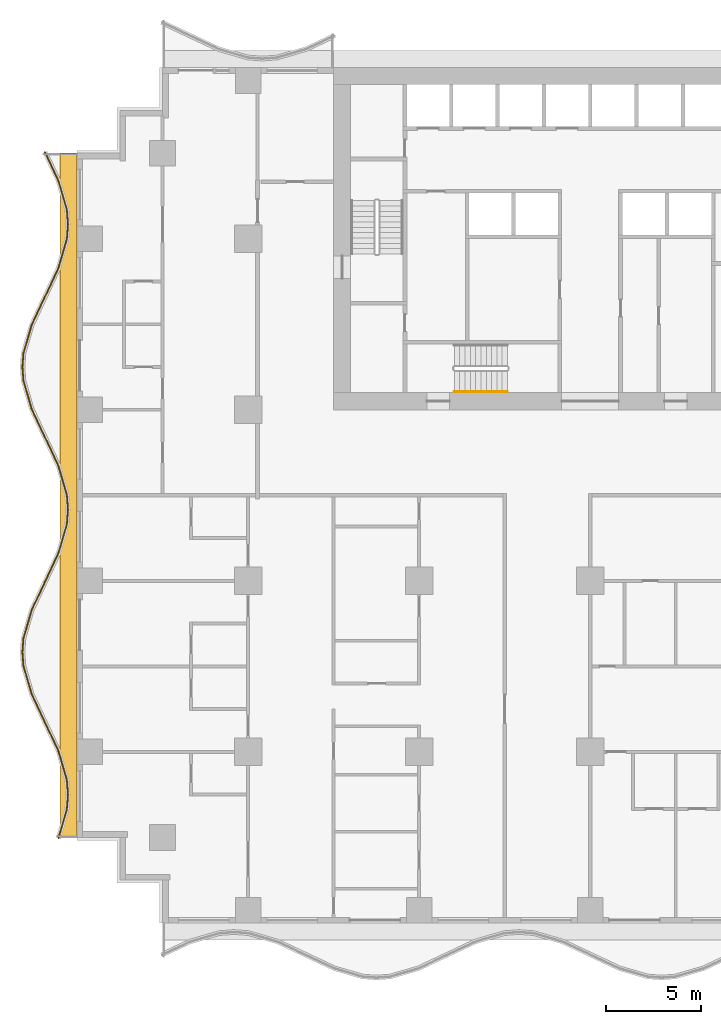
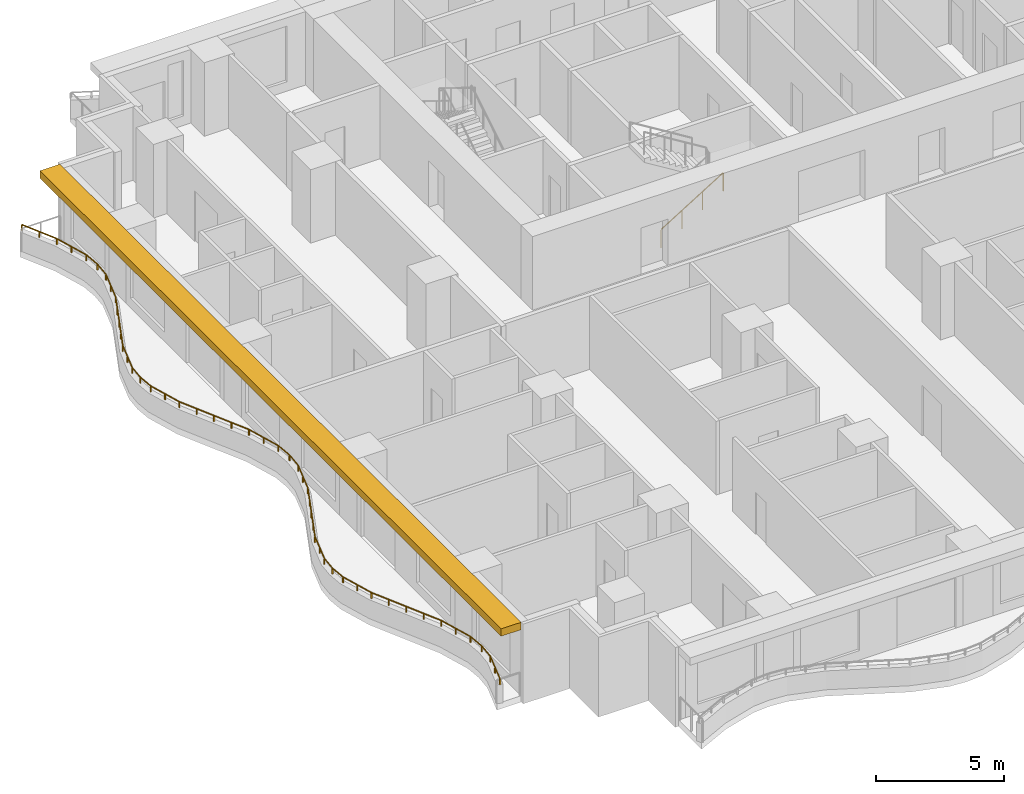
# One storey, part 9 of 14: 2 railings, 1 shading device.
"""IFC4 building model written with IfcOpenShell, lengths in metres."""

from ifc_helpers import new_model, si_unit, direction, frame, origin, origin_2d, place, context, subcontext, project, spatial, polyline, rectangle, circle, outline, extrude, material, layer, layer_set, type_object, element, save


model = new_model("IFC4")

# Units and contexts
model_context = context("Model", 3, precision=1e-05, world=origin(), true_north=direction((0.0, 1.0)))
body_context = subcontext(model_context, "Body", "Model", "MODEL_VIEW")
ifc_project = project(units=[si_unit("LENGTHUNIT", "METRE"), si_unit("AREAUNIT", "SQUARE_METRE"), si_unit("VOLUMEUNIT", "CUBIC_METRE"), si_unit("PLANEANGLEUNIT", "RADIAN"), si_unit("MASSUNIT", "GRAM", prefix="KILO")], contexts=[model_context])

# Site, building, storey
site_placement = place(None, origin())
site = spatial("IfcSite", under=ifc_project, at=site_placement, CompositionType="ELEMENT")
building_placement = place(site_placement, origin())
building = spatial("IfcBuilding", under=site, at=building_placement, Name="Orbiselva Terraces", CompositionType="ELEMENT")
storey_placement = place(building_placement, frame((0.0, 0.0, 60.6)))
storey = spatial("IfcBuildingStorey", under=building, at=storey_placement, Name="L15", CompositionType="ELEMENT", Elevation=60.6)

# Railings
ifc_material_1 = material(Name="Stainless steel", Category="steel")
railing_type_1 = type_object("IfcRailingType", Name="CORE-HANDRAIL-900", PredefinedType="HANDRAIL", material=ifc_material_1)
railing_1_placement = place(storey_placement, frame((-7.15, 5.45, 0.172727)))
element("IfcRailing", 1, at=railing_1_placement, inside=storey, type_object=railing_type_1, Name="L15 S3 stair handrail 1", PredefinedType="HANDRAIL", context=body_context, shape_type="SweptSolid", body=[
    extrude(circle(Radius=0.024, at=origin_2d()), frame((0.0, 0.0, 0.876), z_axis=(0.851088519012, 0.0, 0.52502222125), x_axis=(0.0, 1.0, 0.0)), (0.0, 0.0, 1.0), 3.289905),
    extrude(circle(Radius=0.021, at=origin_2d()), origin(), (0.0, 0.0, 1.0), 0.852),
    extrude(circle(Radius=0.021, at=origin_2d()), frame((0.933333, 0.0, 0.575758)), (0.0, 0.0, 1.0), 0.852),
    extrude(circle(Radius=0.021, at=origin_2d()), frame((1.866667, 0.0, 1.151515)), (0.0, 0.0, 1.0), 0.852),
    extrude(circle(Radius=0.021, at=origin_2d()), frame((2.8, 0.0, 1.727273)), (0.0, 0.0, 1.0), 0.852),
])
ifc_material_2 = material(Name="Bonded two-ply safety glass balustrade, stainless steel posts", Category="steel")
railing_type_2 = type_object("IfcRailingType", Name="ENV-BALUSTRADE-1200", PredefinedType="BALUSTRADE", material=ifc_material_2)
railing_2_placement = place(storey_placement, frame((-28.686882, 18.053191, 0.9)))
element("IfcRailing", 2, at=railing_2_placement, inside=storey, type_object=railing_type_2, Name="Balcony balustrade L15 W", PredefinedType="BALUSTRADE", context=body_context, shape_type="SweptSolid", body=[
    extrude(outline(polyline([(0.028868, 0.0), (0.014434, 0.025), (-0.014434, 0.025), (-0.028868, 0.0), (-0.014434, -0.025), (0.014434, -0.025), (0.028868, 0.0)])), frame((0.0, 0.0, 0.275), z_axis=(0.425530342069, -0.904944157382, 0.0), x_axis=(0.904944157382, 0.425530342069, 0.0)), (0.0, 0.0, 1.0), 1.667376),
    extrude(outline(polyline([(0.028868, 0.0), (0.014434, 0.025), (-0.014434, 0.025), (-0.028868, 0.0), (-0.014434, -0.025), (0.014434, -0.025), (0.028868, 0.0)])), frame((0.709519, -1.508882, 0.275), z_axis=(0.279070928786, -0.960270491427, 0.0), x_axis=(0.960270491427, 0.279070928786, 0.0)), (0.0, 0.0, 1.0), 1.584712),
    extrude(outline(polyline([(0.028868, 0.0), (0.014434, 0.025), (-0.014434, 0.025), (-0.028868, 0.0), (-0.014434, -0.025), (0.014434, -0.025), (0.028868, 0.0)])), frame((1.151766, -3.030634, 0.275), z_axis=(0.078071061106, -0.996947796737, 0.0), x_axis=(0.996947796737, 0.078071061106, 0.0)), (0.0, 0.0, 1.0), 0.774922),
    extrude(outline(polyline([(0.028868, 0.0), (0.014434, 0.025), (-0.014434, 0.025), (-0.028868, 0.0), (-0.014434, -0.025), (0.014434, -0.025), (0.028868, 0.0)])), frame((1.212265, -3.803191, 0.275), z_axis=(-0.078071061106, -0.996947796737, 0.0), x_axis=(0.996947796737, -0.078071061106, 0.0)), (0.0, 0.0, 1.0), 0.774922),
    extrude(outline(polyline([(0.028868, 0.0), (0.014434, 0.025), (-0.014434, 0.025), (-0.028868, 0.0), (-0.014434, -0.025), (0.014434, -0.025), (0.028868, 0.0)])), frame((1.151766, -4.575748, 0.275), z_axis=(-0.279070928786, -0.960270491427, 0.0), x_axis=(0.960270491427, -0.279070928786, 0.0)), (0.0, 0.0, 1.0), 1.584712),
    extrude(outline(polyline([(0.028868, 0.0), (0.014434, 0.025), (-0.014434, 0.025), (-0.028868, 0.0), (-0.014434, -0.025), (0.014434, -0.025), (0.028868, 0.0)])), frame((0.709519, -6.0975, 0.275), z_axis=(-0.425530342069, -0.904944157382, 0.0), x_axis=(0.904944157382, -0.425530342069, 0.0)), (0.0, 0.0, 1.0), 1.667376),
    extrude(outline(polyline([(0.028868, 0.0), (0.014434, 0.025), (-0.014434, 0.025), (-0.028868, 0.0), (-0.014434, -0.025), (0.014434, -0.025), (0.028868, 0.0)])), frame((0.0, -7.606382, 0.275), z_axis=(-0.425529912322, -0.904944359461, 0.0), x_axis=(0.904944359461, -0.425529912322, 0.0)), (0.0, 0.0, 1.0), 1.647746),
    extrude(outline(polyline([(0.028868, 0.0), (0.014434, 0.025), (-0.014434, 0.025), (-0.028868, 0.0), (-0.014434, -0.025), (0.014434, -0.025), (0.028868, 0.0)])), frame((-0.701165, -9.0975, 0.275), z_axis=(-0.279071528957, -0.960270317007, 0.0), x_axis=(0.960270317007, -0.279071528957, 0.0)), (0.0, 0.0, 1.0), 1.539408),
    extrude(outline(polyline([(0.028868, 0.0), (0.014434, 0.025), (-0.014434, 0.025), (-0.028868, 0.0), (-0.014434, -0.025), (0.014434, -0.025), (0.028868, 0.0)])), frame((-1.13077, -10.575748, 0.275), z_axis=(-0.078069536776, -0.996947916106, 0.0), x_axis=(0.996947916106, -0.078069536776, 0.0)), (0.0, 0.0, 1.0), 0.72967),
    extrude(outline(polyline([(0.028868, 0.0), (0.014434, 0.025), (-0.014434, 0.025), (-0.028868, 0.0), (-0.014434, -0.025), (0.014434, -0.025), (0.028868, 0.0)])), frame((-1.187735, -11.303191, 0.275), z_axis=(0.078069536776, -0.996947916106, 0.0), x_axis=(0.996947916106, 0.078069536776, 0.0)), (0.0, 0.0, 1.0), 0.72967),
    extrude(outline(polyline([(0.028868, 0.0), (0.014434, 0.025), (-0.014434, 0.025), (-0.028868, 0.0), (-0.014434, -0.025), (0.014434, -0.025), (0.028868, 0.0)])), frame((-1.13077, -12.030634, 0.275), z_axis=(0.279071528957, -0.960270317007, 0.0), x_axis=(0.960270317007, 0.279071528957, 0.0)), (0.0, 0.0, 1.0), 1.539408),
    extrude(outline(polyline([(0.028868, 0.0), (0.014434, 0.025), (-0.014434, 0.025), (-0.028868, 0.0), (-0.014434, -0.025), (0.014434, -0.025), (0.028868, 0.0)])), frame((-0.701165, -13.508882, 0.275), z_axis=(0.425529912322, -0.904944359461, 0.0), x_axis=(0.904944359461, 0.425529912322, 0.0)), (0.0, 0.0, 1.0), 1.647746),
    extrude(outline(polyline([(0.028868, 0.0), (0.014434, 0.025), (-0.014434, 0.025), (-0.028868, 0.0), (-0.014434, -0.025), (0.014434, -0.025), (0.028868, 0.0)])), frame((0.0, -15.0, 0.275), z_axis=(0.425530342069, -0.904944157382, 0.0), x_axis=(0.904944157382, 0.425530342069, 0.0)), (0.0, 0.0, 1.0), 1.667376),
    extrude(outline(polyline([(0.028868, 0.0), (0.014434, 0.025), (-0.014434, 0.025), (-0.028868, 0.0), (-0.014434, -0.025), (0.014434, -0.025), (0.028868, 0.0)])), frame((0.709519, -16.508882, 0.275), z_axis=(0.279070928786, -0.960270491427, 0.0), x_axis=(0.960270491427, 0.279070928786, 0.0)), (0.0, 0.0, 1.0), 1.584712),
    extrude(outline(polyline([(0.028868, 0.0), (0.014434, 0.025), (-0.014434, 0.025), (-0.028868, 0.0), (-0.014434, -0.025), (0.014434, -0.025), (0.028868, 0.0)])), frame((1.151766, -18.030634, 0.275), z_axis=(0.078071061106, -0.996947796737, 0.0), x_axis=(0.996947796737, 0.078071061106, 0.0)), (0.0, 0.0, 1.0), 0.774922),
    extrude(outline(polyline([(0.028868, 0.0), (0.014434, 0.025), (-0.014434, 0.025), (-0.028868, 0.0), (-0.014434, -0.025), (0.014434, -0.025), (0.028868, 0.0)])), frame((1.212265, -18.803191, 0.275), z_axis=(-0.078071061106, -0.996947796737, 0.0), x_axis=(0.996947796737, -0.078071061106, 0.0)), (0.0, 0.0, 1.0), 0.774922),
    extrude(outline(polyline([(0.028868, 0.0), (0.014434, 0.025), (-0.014434, 0.025), (-0.028868, 0.0), (-0.014434, -0.025), (0.014434, -0.025), (0.028868, 0.0)])), frame((1.151766, -19.575748, 0.275), z_axis=(-0.279070928786, -0.960270491427, 0.0), x_axis=(0.960270491427, -0.279070928786, 0.0)), (0.0, 0.0, 1.0), 1.584712),
    extrude(outline(polyline([(0.028868, 0.0), (0.014434, 0.025), (-0.014434, 0.025), (-0.028868, 0.0), (-0.014434, -0.025), (0.014434, -0.025), (0.028868, 0.0)])), frame((0.709519, -21.0975, 0.275), z_axis=(-0.425530342069, -0.904944157382, 0.0), x_axis=(0.904944157382, -0.425530342069, 0.0)), (0.0, 0.0, 1.0), 1.667376),
    extrude(outline(polyline([(0.028868, 0.0), (0.014434, 0.025), (-0.014434, 0.025), (-0.028868, 0.0), (-0.014434, -0.025), (0.014434, -0.025), (0.028868, 0.0)])), frame((0.0, -22.606382, 0.275), z_axis=(-0.425529912322, -0.904944359461, 0.0), x_axis=(0.904944359461, -0.425529912322, 0.0)), (0.0, 0.0, 1.0), 1.647746),
    extrude(outline(polyline([(0.028868, 0.0), (0.014434, 0.025), (-0.014434, 0.025), (-0.028868, 0.0), (-0.014434, -0.025), (0.014434, -0.025), (0.028868, 0.0)])), frame((-0.701165, -24.0975, 0.275), z_axis=(-0.279071528957, -0.960270317007, 0.0), x_axis=(0.960270317007, -0.279071528957, 0.0)), (0.0, 0.0, 1.0), 1.539408),
    extrude(outline(polyline([(0.028868, 0.0), (0.014434, 0.025), (-0.014434, 0.025), (-0.028868, 0.0), (-0.014434, -0.025), (0.014434, -0.025), (0.028868, 0.0)])), frame((-1.13077, -25.575748, 0.275), z_axis=(-0.078069536776, -0.996947916106, 0.0), x_axis=(0.996947916106, -0.078069536776, 0.0)), (0.0, 0.0, 1.0), 0.72967),
    extrude(outline(polyline([(0.028868, 0.0), (0.014434, 0.025), (-0.014434, 0.025), (-0.028868, 0.0), (-0.014434, -0.025), (0.014434, -0.025), (0.028868, 0.0)])), frame((-1.187735, -26.303191, 0.275), z_axis=(0.078069536776, -0.996947916106, 0.0), x_axis=(0.996947916106, 0.078069536776, 0.0)), (0.0, 0.0, 1.0), 0.72967),
    extrude(outline(polyline([(0.028868, 0.0), (0.014434, 0.025), (-0.014434, 0.025), (-0.028868, 0.0), (-0.014434, -0.025), (0.014434, -0.025), (0.028868, 0.0)])), frame((-1.13077, -27.030634, 0.275), z_axis=(0.279071528957, -0.960270317007, 0.0), x_axis=(0.960270317007, 0.279071528957, 0.0)), (0.0, 0.0, 1.0), 1.539408),
    extrude(outline(polyline([(0.028868, 0.0), (0.014434, 0.025), (-0.014434, 0.025), (-0.028868, 0.0), (-0.014434, -0.025), (0.014434, -0.025), (0.028868, 0.0)])), frame((-0.701165, -28.508882, 0.275), z_axis=(0.425529912322, -0.904944359461, 0.0), x_axis=(0.904944359461, 0.425529912322, 0.0)), (0.0, 0.0, 1.0), 1.647746),
    extrude(outline(polyline([(0.028868, 0.0), (0.014434, 0.025), (-0.014434, 0.025), (-0.028868, 0.0), (-0.014434, -0.025), (0.014434, -0.025), (0.028868, 0.0)])), frame((0.0, -30.0, 0.275), z_axis=(0.425530342069, -0.904944157382, 0.0), x_axis=(0.904944157382, 0.425530342069, 0.0)), (0.0, 0.0, 1.0), 1.667376),
    extrude(outline(polyline([(0.028868, 0.0), (0.014434, 0.025), (-0.014434, 0.025), (-0.028868, 0.0), (-0.014434, -0.025), (0.014434, -0.025), (0.028868, 0.0)])), frame((0.709519, -31.508882, 0.275), z_axis=(0.279070928786, -0.960270491427, 0.0), x_axis=(0.960270491427, 0.279070928786, 0.0)), (0.0, 0.0, 1.0), 1.584712),
    extrude(outline(polyline([(0.028868, 0.0), (0.014434, 0.025), (-0.014434, 0.025), (-0.028868, 0.0), (-0.014434, -0.025), (0.014434, -0.025), (0.028868, 0.0)])), frame((1.151766, -33.030634, 0.275), z_axis=(0.078071061106, -0.996947796737, 0.0), x_axis=(0.996947796737, 0.078071061106, 0.0)), (0.0, 0.0, 1.0), 0.774922),
    extrude(outline(polyline([(0.028868, 0.0), (0.014434, 0.025), (-0.014434, 0.025), (-0.028868, 0.0), (-0.014434, -0.025), (0.014434, -0.025), (0.028868, 0.0)])), frame((1.212265, -33.803191, 0.275), z_axis=(-0.078071061106, -0.996947796737, 0.0), x_axis=(0.996947796737, -0.078071061106, 0.0)), (0.0, 0.0, 1.0), 0.774922),
    extrude(outline(polyline([(0.028868, 0.0), (0.014434, 0.025), (-0.014434, 0.025), (-0.028868, 0.0), (-0.014434, -0.025), (0.014434, -0.025), (0.028868, 0.0)])), frame((1.151766, -34.575748, 0.275), z_axis=(-0.279070966973, -0.96027048033, 0.0), x_axis=(0.96027048033, -0.279070966973, 0.0)), (0.0, 0.0, 1.0), 1.574897),
    extrude(rectangle(XDim=0.05, YDim=0.05, at=origin_2d()), origin(), (0.0, 0.0, 1.0), 0.25),
    extrude(rectangle(XDim=0.05, YDim=0.05, at=origin_2d()), frame((0.35476, -0.754441, 0.0)), (0.0, 0.0, 1.0), 0.25),
    extrude(rectangle(XDim=0.05, YDim=0.05, at=origin_2d()), frame((0.709519, -1.508882, 0.0)), (0.0, 0.0, 1.0), 0.25),
    extrude(rectangle(XDim=0.05, YDim=0.05, at=origin_2d()), frame((0.930643, -2.269758, 0.0)), (0.0, 0.0, 1.0), 0.25),
    extrude(rectangle(XDim=0.05, YDim=0.05, at=origin_2d()), frame((1.151766, -3.030634, 0.0)), (0.0, 0.0, 1.0), 0.25),
    extrude(rectangle(XDim=0.05, YDim=0.05, at=origin_2d()), frame((1.212265, -3.803191, 0.0)), (0.0, 0.0, 1.0), 0.25),
    extrude(rectangle(XDim=0.05, YDim=0.05, at=origin_2d()), frame((1.151766, -4.575748, 0.0)), (0.0, 0.0, 1.0), 0.25),
    extrude(rectangle(XDim=0.05, YDim=0.05, at=origin_2d()), frame((0.930643, -5.336624, 0.0)), (0.0, 0.0, 1.0), 0.25),
    extrude(rectangle(XDim=0.05, YDim=0.05, at=origin_2d()), frame((0.709519, -6.0975, 0.0)), (0.0, 0.0, 1.0), 0.25),
    extrude(rectangle(XDim=0.05, YDim=0.05, at=origin_2d()), frame((0.35476, -6.851941, 0.0)), (0.0, 0.0, 1.0), 0.25),
    extrude(rectangle(XDim=0.05, YDim=0.05, at=origin_2d()), frame((0.0, -7.606382, 0.0)), (0.0, 0.0, 1.0), 0.25),
    extrude(rectangle(XDim=0.05, YDim=0.05, at=origin_2d()), frame((-0.350582, -8.351941, 0.0)), (0.0, 0.0, 1.0), 0.25),
    extrude(rectangle(XDim=0.05, YDim=0.05, at=origin_2d()), frame((-0.701165, -9.0975, 0.0)), (0.0, 0.0, 1.0), 0.25),
    extrude(rectangle(XDim=0.05, YDim=0.05, at=origin_2d()), frame((-0.915967, -9.836624, 0.0)), (0.0, 0.0, 1.0), 0.25),
    extrude(rectangle(XDim=0.05, YDim=0.05, at=origin_2d()), frame((-1.13077, -10.575748, 0.0)), (0.0, 0.0, 1.0), 0.25),
    extrude(rectangle(XDim=0.05, YDim=0.05, at=origin_2d()), frame((-1.187735, -11.303191, 0.0)), (0.0, 0.0, 1.0), 0.25),
    extrude(rectangle(XDim=0.05, YDim=0.05, at=origin_2d()), frame((-1.13077, -12.030634, 0.0)), (0.0, 0.0, 1.0), 0.25),
    extrude(rectangle(XDim=0.05, YDim=0.05, at=origin_2d()), frame((-0.915967, -12.769758, 0.0)), (0.0, 0.0, 1.0), 0.25),
    extrude(rectangle(XDim=0.05, YDim=0.05, at=origin_2d()), frame((-0.701165, -13.508882, 0.0)), (0.0, 0.0, 1.0), 0.25),
    extrude(rectangle(XDim=0.05, YDim=0.05, at=origin_2d()), frame((-0.350582, -14.254441, 0.0)), (0.0, 0.0, 1.0), 0.25),
    extrude(rectangle(XDim=0.05, YDim=0.05, at=origin_2d()), frame((0.0, -15.0, 0.0)), (0.0, 0.0, 1.0), 0.25),
    extrude(rectangle(XDim=0.05, YDim=0.05, at=origin_2d()), frame((0.35476, -15.754441, 0.0)), (0.0, 0.0, 1.0), 0.25),
    extrude(rectangle(XDim=0.05, YDim=0.05, at=origin_2d()), frame((0.709519, -16.508882, 0.0)), (0.0, 0.0, 1.0), 0.25),
    extrude(rectangle(XDim=0.05, YDim=0.05, at=origin_2d()), frame((0.930643, -17.269758, 0.0)), (0.0, 0.0, 1.0), 0.25),
    extrude(rectangle(XDim=0.05, YDim=0.05, at=origin_2d()), frame((1.151766, -18.030634, 0.0)), (0.0, 0.0, 1.0), 0.25),
    extrude(rectangle(XDim=0.05, YDim=0.05, at=origin_2d()), frame((1.212265, -18.803191, 0.0)), (0.0, 0.0, 1.0), 0.25),
    extrude(rectangle(XDim=0.05, YDim=0.05, at=origin_2d()), frame((1.151766, -19.575748, 0.0)), (0.0, 0.0, 1.0), 0.25),
    extrude(rectangle(XDim=0.05, YDim=0.05, at=origin_2d()), frame((0.930643, -20.336624, 0.0)), (0.0, 0.0, 1.0), 0.25),
    extrude(rectangle(XDim=0.05, YDim=0.05, at=origin_2d()), frame((0.709519, -21.0975, 0.0)), (0.0, 0.0, 1.0), 0.25),
    extrude(rectangle(XDim=0.05, YDim=0.05, at=origin_2d()), frame((0.35476, -21.851941, 0.0)), (0.0, 0.0, 1.0), 0.25),
    extrude(rectangle(XDim=0.05, YDim=0.05, at=origin_2d()), frame((0.0, -22.606382, 0.0)), (0.0, 0.0, 1.0), 0.25),
    extrude(rectangle(XDim=0.05, YDim=0.05, at=origin_2d()), frame((-0.350582, -23.351941, 0.0)), (0.0, 0.0, 1.0), 0.25),
    extrude(rectangle(XDim=0.05, YDim=0.05, at=origin_2d()), frame((-0.701165, -24.0975, 0.0)), (0.0, 0.0, 1.0), 0.25),
    extrude(rectangle(XDim=0.05, YDim=0.05, at=origin_2d()), frame((-0.915967, -24.836624, 0.0)), (0.0, 0.0, 1.0), 0.25),
    extrude(rectangle(XDim=0.05, YDim=0.05, at=origin_2d()), frame((-1.13077, -25.575748, 0.0)), (0.0, 0.0, 1.0), 0.25),
    extrude(rectangle(XDim=0.05, YDim=0.05, at=origin_2d()), frame((-1.187735, -26.303191, 0.0)), (0.0, 0.0, 1.0), 0.25),
    extrude(rectangle(XDim=0.05, YDim=0.05, at=origin_2d()), frame((-1.13077, -27.030634, 0.0)), (0.0, 0.0, 1.0), 0.25),
    extrude(rectangle(XDim=0.05, YDim=0.05, at=origin_2d()), frame((-0.915967, -27.769758, 0.0)), (0.0, 0.0, 1.0), 0.25),
    extrude(rectangle(XDim=0.05, YDim=0.05, at=origin_2d()), frame((-0.701165, -28.508882, 0.0)), (0.0, 0.0, 1.0), 0.25),
    extrude(rectangle(XDim=0.05, YDim=0.05, at=origin_2d()), frame((-0.350582, -29.254441, 0.0)), (0.0, 0.0, 1.0), 0.25),
    extrude(rectangle(XDim=0.05, YDim=0.05, at=origin_2d()), frame((0.0, -30.0, 0.0)), (0.0, 0.0, 1.0), 0.25),
    extrude(rectangle(XDim=0.05, YDim=0.05, at=origin_2d()), frame((0.35476, -30.754441, 0.0)), (0.0, 0.0, 1.0), 0.25),
    extrude(rectangle(XDim=0.05, YDim=0.05, at=origin_2d()), frame((0.709519, -31.508882, 0.0)), (0.0, 0.0, 1.0), 0.25),
    extrude(rectangle(XDim=0.05, YDim=0.05, at=origin_2d()), frame((0.930643, -32.269758, 0.0)), (0.0, 0.0, 1.0), 0.25),
    extrude(rectangle(XDim=0.05, YDim=0.05, at=origin_2d()), frame((1.151766, -33.030634, 0.0)), (0.0, 0.0, 1.0), 0.25),
    extrude(rectangle(XDim=0.05, YDim=0.05, at=origin_2d()), frame((1.212265, -33.803191, 0.0)), (0.0, 0.0, 1.0), 0.25),
    extrude(rectangle(XDim=0.05, YDim=0.05, at=origin_2d()), frame((1.151766, -34.575748, 0.0)), (0.0, 0.0, 1.0), 0.25),
    extrude(rectangle(XDim=0.05, YDim=0.05, at=origin_2d()), frame((0.932012, -35.331912, 0.0)), (0.0, 0.0, 1.0), 0.25),
    extrude(rectangle(XDim=0.05, YDim=0.05, at=origin_2d()), frame((0.712258, -36.088075, 0.0)), (0.0, 0.0, 1.0), 0.25),
])

# Shading device
ifc_material_3 = material(Name="Terracotta baguette sunshade", Category="masonry")
ifc_layer = layer(ifc_material_3, 0.35)
ifc_layer_set = layer_set([ifc_layer], Name="Terracotta baguette sunshade")
shading_device_type = type_object("IfcShadingDeviceType", Name="ENV-SUNSHADE-900x350", PredefinedType="USERDEFINED", material=ifc_layer_set)
shading_device_placement = place(storey_placement, frame((0.0, 0.0, 3.15)))
element("IfcShadingDevice", 3, at=shading_device_placement, inside=storey, type_object=shading_device_type, Name="Sunshade band L15 W", ObjectType="SUNSHADE", PredefinedType="USERDEFINED", context=body_context, shape_type="SweptSolid", body=[
    extrude(outline(polyline([(-27.9, 18.0), (-27.9, -18.0), (-27.0, -18.0), (-27.0, 18.0), (-27.9, 18.0)])), origin(), (0.0, 0.0, 1.0), 0.35),
])

save(model, "model.ifc")
